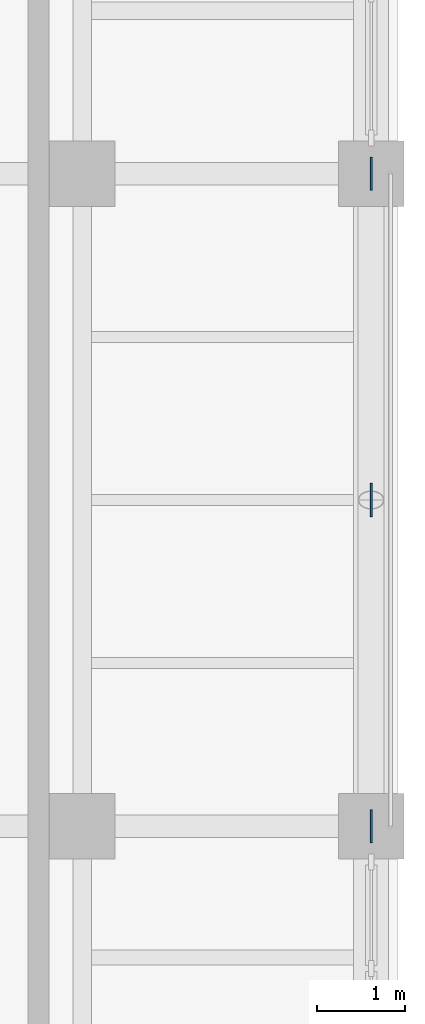
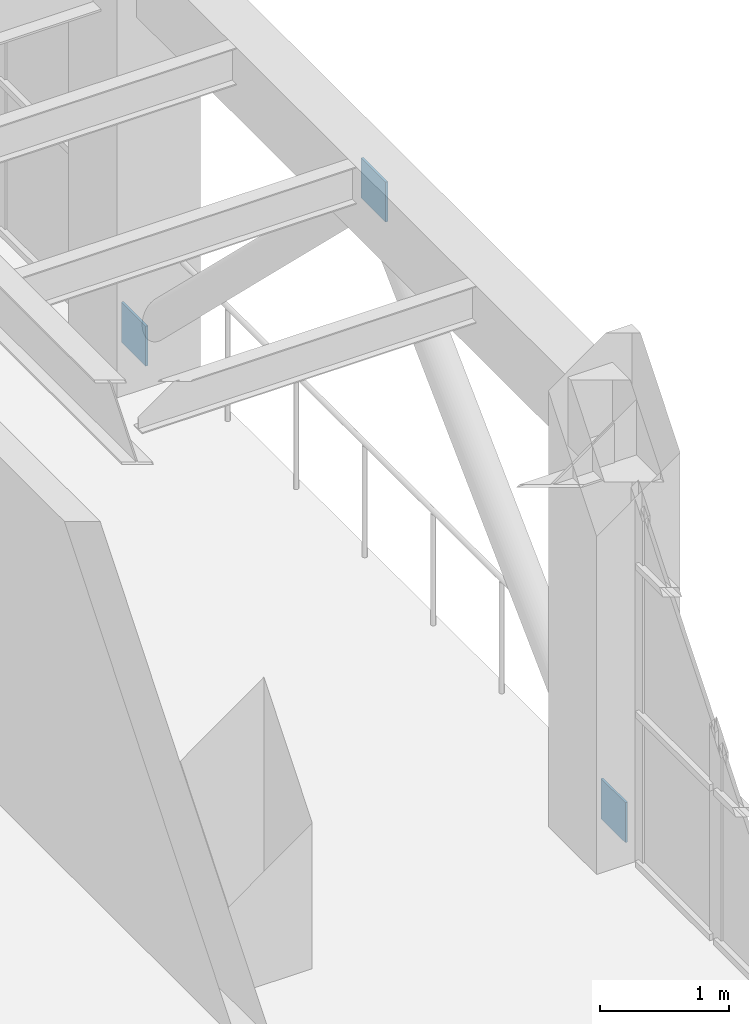
# One storey, part 65 of 85: 3 plates.
"""IFC4 building model written with IfcOpenShell, lengths in metres."""

from ifc_helpers import new_model, si_unit, direction, frame, origin, origin_2d, place, context, subcontext, project, spatial, rectangle, extrude, material, layer, layer_set, type_object, element, save


model = new_model("IFC4")

# Units and contexts
model_context = context("Model", 3, precision=1e-05, world=origin(), true_north=direction((0.0, 1.0)))
body_context = subcontext(model_context, "Body", "Model", "MODEL_VIEW")
ifc_project = project(units=[si_unit("LENGTHUNIT", "METRE"), si_unit("AREAUNIT", "SQUARE_METRE"), si_unit("VOLUMEUNIT", "CUBIC_METRE"), si_unit("PLANEANGLEUNIT", "RADIAN"), si_unit("MASSUNIT", "GRAM", prefix="KILO")], contexts=[model_context])

# Site, building, storey
site_placement = place(None, origin())
site = spatial("IfcSite", under=ifc_project, at=site_placement, CompositionType="ELEMENT")
building_placement = place(site_placement, origin())
building = spatial("IfcBuilding", under=site, at=building_placement, Name="Candilejo Ridge Gondola Terminal", CompositionType="ELEMENT")
storey_placement = place(building_placement, frame((0.0, 0.0, 4.5)))
storey = spatial("IfcBuildingStorey", under=building, at=storey_placement, Name="L01", CompositionType="ELEMENT", Elevation=4.5)

# Plates
ifc_material = material(Name="Steel ASTM A572 Grade 50", Category="steel")
ifc_layer = layer(ifc_material, 0.02001953125)
ifc_layer_set = layer_set([ifc_layer], Name="STR-NODE-PLATE-380X380X20")
plate_type = type_object("IfcPlateType", Name="STR-NODE-PLATE-380X380X20", PredefinedType="USERDEFINED", material=ifc_layer_set)
for number, where, z_axis, x_axis, name in (
    (1, (175.300048828125, 14.52490234375, 3.68505859375), (0.0, 0.0, 1.0), (1.0, 0.0, 0.0), "Chevron gusset plate 228"),
    (2, (175.300048828125, 10.800048828125, 0.06005859375), (0.0, 0.0, 1.0), (1.0, 0.0, 0.0), "Chevron gusset plate 229"),
    (3, (175.300048828125, 18.25, 0.06005859375), (0.0, 0.0, 1.0), (1.0, 0.0, 0.0), "Chevron gusset plate 230"),
):
    element("IfcPlate", number, at=place(storey_placement, frame(where, z_axis=z_axis, x_axis=x_axis)), inside=storey, type_object=plate_type, Name=name, ObjectType="NODE PLATE", PredefinedType="USERDEFINED", context=body_context, shape_type="SweptSolid", body=[
        extrude(rectangle(XDim=0.02001953125, YDim=0.3798828125, at=origin_2d()), origin(), (0.0, 0.0, 1.0), 0.3798828125),
    ])

save(model, "model.ifc")
